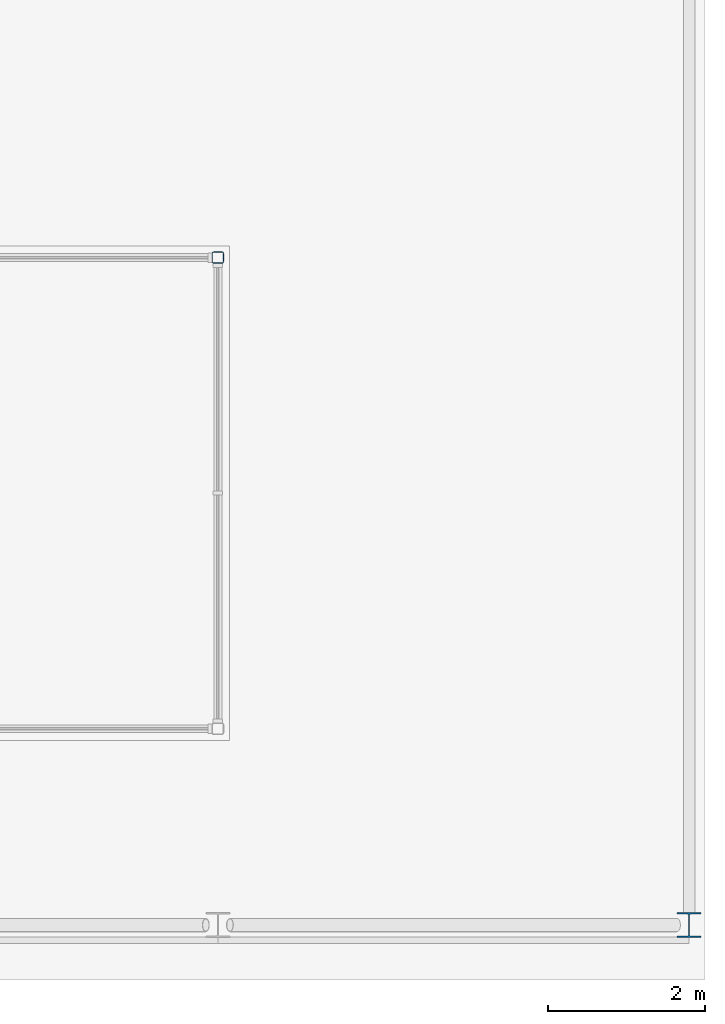
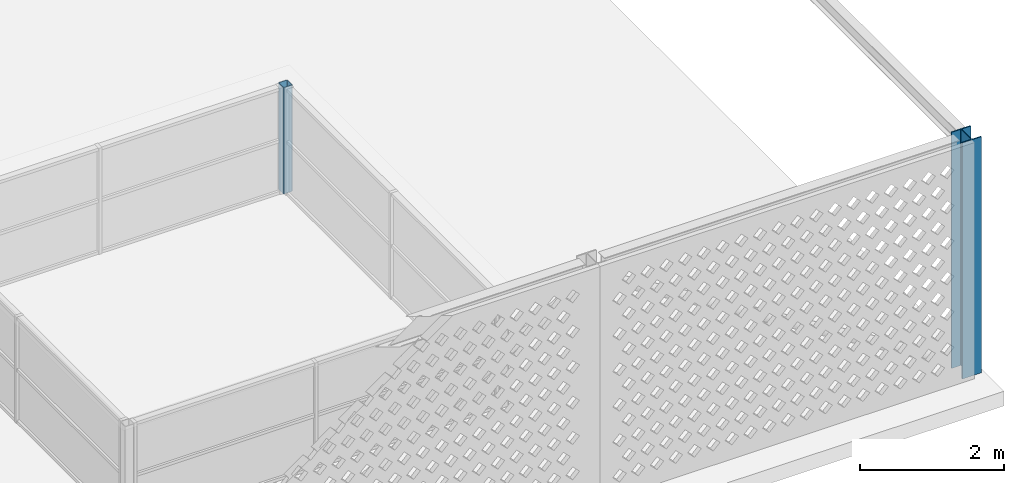
# One storey, part 2 of 10: 2 columns.
"""IFC4 building model written with IfcOpenShell, lengths in metres."""

from ifc_helpers import new_model, si_unit, direction, frame, origin, origin_2d, place, context, subcontext, project, spatial, hollow_rectangle, i_section, extrude, source, transform, mapped, material, material_profile, profile_set, type_object, element, save


model = new_model("IFC4")

# Units and contexts
model_context = context("Model", 3, precision=1e-05, world=origin(), true_north=direction((0.0, 1.0)))
body_context = subcontext(model_context, "Body", "Model", "MODEL_VIEW")
ifc_project = project(units=[si_unit("LENGTHUNIT", "METRE"), si_unit("AREAUNIT", "SQUARE_METRE"), si_unit("VOLUMEUNIT", "CUBIC_METRE"), si_unit("PLANEANGLEUNIT", "RADIAN"), si_unit("MASSUNIT", "GRAM", prefix="KILO")], contexts=[model_context])

# Site, building, storey
site_placement = place(None, origin())
site = spatial("IfcSite", under=ifc_project, at=site_placement, CompositionType="ELEMENT")
building_placement = place(site_placement, origin())
building = spatial("IfcBuilding", under=site, at=building_placement, Name="Poui Terraces", CompositionType="ELEMENT")
storey_placement = place(building_placement, frame((0.0, 0.0, 292.199951171875)))
storey = spatial("IfcBuildingStorey", under=building, at=storey_placement, Name="ROOF", CompositionType="ELEMENT", Elevation=292.199951171875)

# Columns
ifc_material_1 = material(Name="Steel Grade 300 MPa", Category="steel")
ifc_material_profile_1 = material_profile(ifc_material_1, i_section(OverallWidth=0.306884765625, OverallDepth=0.314697265625, WebThickness=0.011962890625, FlangeThickness=0.018798828125, FilletRadius=0.0166015625, at=origin_2d()), Name="310UC118")
ifc_profile_set_1 = profile_set([ifc_material_profile_1], Name="Steel Grade 300 MPa")
column_type_1 = type_object("IfcColumnType", Name="SCREEN FRAME POST 310UC118", PredefinedType="COLUMN", material=ifc_profile_set_1)
shared_shape_1 = source(origin(), body_context, "Body", "SweptSolid", [
    extrude(i_section(OverallWidth=0.306884765625, OverallDepth=0.314697265625, WebThickness=0.011962890625, FlangeThickness=0.018798828125, FilletRadius=0.0166015625, at=origin_2d()), origin(), (0.0, 0.0, 1.0), 4.0),
])
column_1_placement = place(storey_placement, frame((48.0, 0.5, 0.0), z_axis=(0.0, 0.0, 1.0), x_axis=(1.0, 0.0, 0.0)))
element("IfcColumn", 1, at=column_1_placement, inside=storey, type_object=column_type_1, Name="SCREEN FRAME POST S9", PredefinedType="COLUMN", context=body_context, shape_type="MappedRepresentation", body=[
    mapped(shared_shape_1, transform((0.0, 0.0, 0.0))),
])
ifc_material_2 = material(Name="Steel Grade 350 MPa", Category="steel")
ifc_material_profile_2 = material_profile(ifc_material_2, hollow_rectangle(XDim=0.14990234375, YDim=0.14990234375, WallThickness=0.009033203125, InnerFilletRadius=0.013427734375, OuterFilletRadius=0.0224609375, at=origin_2d()), Name="150x150x9.0 SHS")
ifc_profile_set_2 = profile_set([ifc_material_profile_2], Name="Steel Grade 350 MPa")
column_type_2 = type_object("IfcColumnType", Name="LANTERN POST 150x150x9.0 SHS", PredefinedType="COLUMN", material=ifc_profile_set_2)
shared_shape_2 = source(origin(), body_context, "Body", "SweptSolid", [
    extrude(hollow_rectangle(XDim=0.14990234375, YDim=0.14990234375, WallThickness=0.009033203125, InnerFilletRadius=0.013427734375, OuterFilletRadius=0.0224609375, at=origin_2d()), origin(), (0.0, 0.0, 1.0), 1.800048828125),
])
column_2_placement = place(storey_placement, frame((42.0, 9.0, 0.0), z_axis=(0.0, 0.0, 1.0), x_axis=(1.0, 0.0, 0.0)))
element("IfcColumn", 2, at=column_2_placement, inside=storey, type_object=column_type_2, Name="LANTERN POST", PredefinedType="COLUMN", context=body_context, shape_type="MappedRepresentation", body=[
    mapped(shared_shape_2, transform((0.0, 0.0, 0.0))),
])

save(model, "model.ifc")
